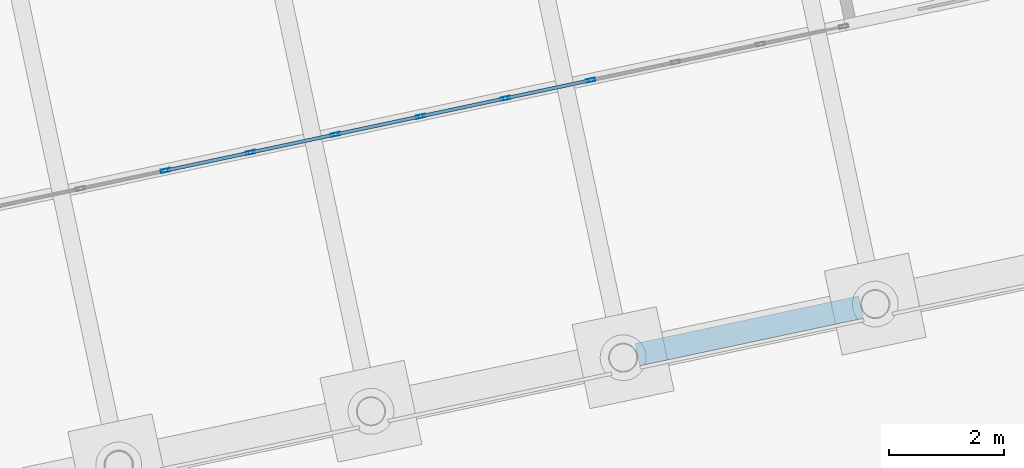
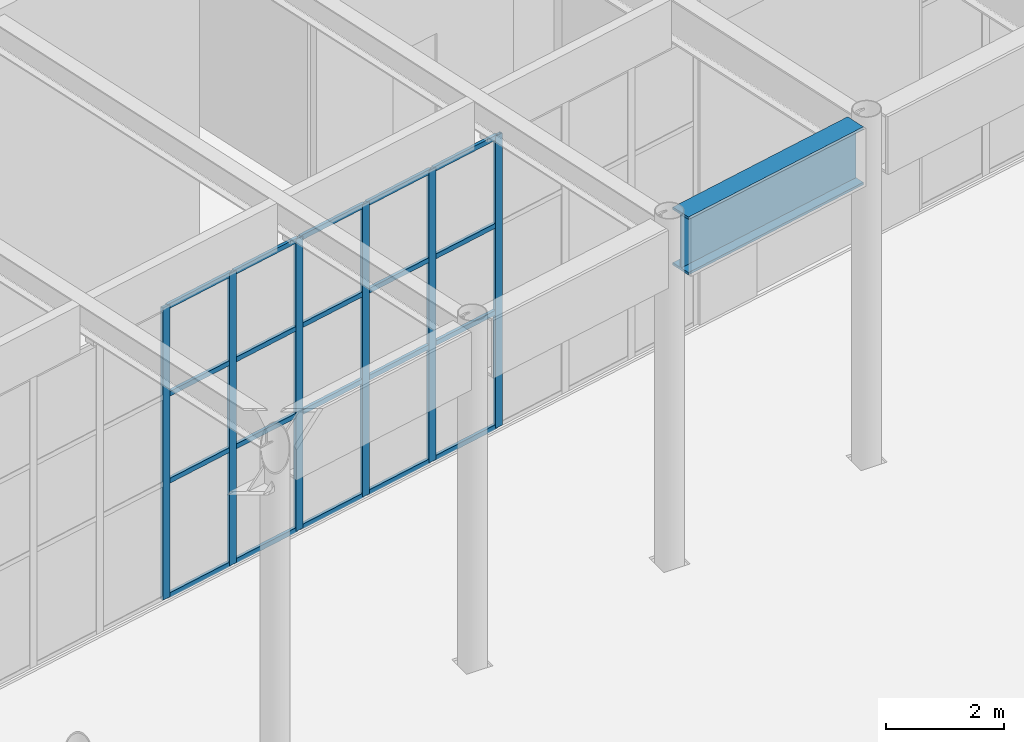
# One storey, part 94 of 239: 26 members, 1 beam, 1 element without a shape of its own.
"""IFC4 building model written with IfcOpenShell, lengths in metres."""

from ifc_helpers import new_model, si_unit, direction, frame, origin, origin_2d, place, context, subcontext, project, spatial, hollow_rectangle, i_section, extrude, material, material_profile, profile_set, type_object, element, aggregate, save


model = new_model("IFC4")

# Units and contexts
model_context = context("Model", 3, precision=1e-05, world=origin(), true_north=direction((0.0, 1.0)))
body_context = subcontext(model_context, "Body", "Model", "MODEL_VIEW")
ifc_project = project(units=[si_unit("LENGTHUNIT", "METRE"), si_unit("AREAUNIT", "SQUARE_METRE"), si_unit("VOLUMEUNIT", "CUBIC_METRE"), si_unit("PLANEANGLEUNIT", "RADIAN"), si_unit("MASSUNIT", "GRAM", prefix="KILO")], contexts=[model_context])

# Site, building, storey
site_placement = place(None, origin())
site = spatial("IfcSite", under=ifc_project, at=site_placement, CompositionType="ELEMENT")
building_placement = place(site_placement, origin())
building = spatial("IfcBuilding", under=site, at=building_placement, Name="Okhra Congress Centre", CompositionType="ELEMENT")
storey_placement = place(building_placement, origin())
storey = spatial("IfcBuildingStorey", under=building, at=storey_placement, Name="L00", CompositionType="ELEMENT", Elevation=0.0)

# Curtain wall, members
ifc_material_1 = material(Name="Aluminium curtain wall, triple glazing", Category="aluminium")
curtain_wall_type = type_object("IfcCurtainWallType", Name="Curtain wall 1500 module", PredefinedType="NOTDEFINED", material=ifc_material_1)
curtain_wall_placement = place(storey_placement, origin())
curtain_wall = element("IfcCurtainWall", 1, at=curtain_wall_placement, inside=storey, type_object=curtain_wall_type, Name="Ground curtain wall S4", PredefinedType="NOTDEFINED")
ifc_material_2 = material(Name="Aluminium alloy EN AW-6063 T66", Category="aluminium")
ifc_material_profile_1 = material_profile(ifc_material_2, hollow_rectangle(XDim=0.06005859375, YDim=0.159912109375, WallThickness=0.00390625, at=origin_2d()), Name="RHS 60x160x4")
ifc_profile_set_1 = profile_set([ifc_material_profile_1], Name="Aluminium alloy EN AW-6063 T66")
member_type_1 = type_object("IfcMemberType", Name="Curtain wall mullion 60x160", PredefinedType="MULLION", material=ifc_profile_set_1)
member_1_placement = place(storey_placement, frame((176.267822265625, 56.271240234375, 0.0), z_axis=(0.0, 0.0, 1.0), x_axis=(-0.207911690818, 0.978147600734, 0.0)))
member_1 = element("IfcMember", 2, at=member_1_placement, type_object=member_type_1, Name="CW7 mullion 20", PredefinedType="MULLION", context=body_context, shape_type="SweptSolid", body=[
    extrude(hollow_rectangle(XDim=0.06005859375, YDim=0.159912109375, WallThickness=0.00390625, at=origin_2d()), origin(), (0.0, 0.0, 1.0), 6.050048828125),
])
member_2_placement = place(storey_placement, frame((177.751708984375, 56.586669921875, 0.0), z_axis=(0.0, 0.0, 1.0), x_axis=(-0.207911690818, 0.978147600734, 0.0)))
member_2 = element("IfcMember", 3, at=member_2_placement, type_object=member_type_1, Name="CW7 mullion 21", PredefinedType="MULLION", context=body_context, shape_type="SweptSolid", body=[
    extrude(hollow_rectangle(XDim=0.06005859375, YDim=0.159912109375, WallThickness=0.00390625, at=origin_2d()), origin(), (0.0, 0.0, 1.0), 6.050048828125),
])
member_3_placement = place(storey_placement, frame((179.235595703125, 56.902099609375, 0.0), z_axis=(0.0, 0.0, 1.0), x_axis=(-0.207911690818, 0.978147600734, 0.0)))
member_3 = element("IfcMember", 4, at=member_3_placement, type_object=member_type_1, Name="CW7 mullion 22", PredefinedType="MULLION", context=body_context, shape_type="SweptSolid", body=[
    extrude(hollow_rectangle(XDim=0.06005859375, YDim=0.159912109375, WallThickness=0.00390625, at=origin_2d()), origin(), (0.0, 0.0, 1.0), 6.050048828125),
])
member_4_placement = place(storey_placement, frame((180.719482421875, 57.217529296875, 0.0), z_axis=(0.0, 0.0, 1.0), x_axis=(-0.207911690818, 0.978147600734, 0.0)))
member_4 = element("IfcMember", 5, at=member_4_placement, type_object=member_type_1, Name="CW7 mullion 23", PredefinedType="MULLION", context=body_context, shape_type="SweptSolid", body=[
    extrude(hollow_rectangle(XDim=0.06005859375, YDim=0.159912109375, WallThickness=0.00390625, at=origin_2d()), origin(), (0.0, 0.0, 1.0), 6.050048828125),
])
member_5_placement = place(storey_placement, frame((182.203369140625, 57.532958984375, 0.0), z_axis=(0.0, 0.0, 1.0), x_axis=(-0.207911690818, 0.978147600734, 0.0)))
member_5 = element("IfcMember", 6, at=member_5_placement, type_object=member_type_1, Name="CW7 mullion 24", PredefinedType="MULLION", context=body_context, shape_type="SweptSolid", body=[
    extrude(hollow_rectangle(XDim=0.06005859375, YDim=0.159912109375, WallThickness=0.00390625, at=origin_2d()), origin(), (0.0, 0.0, 1.0), 6.050048828125),
])
member_6_placement = place(storey_placement, frame((183.687255859375, 57.848388671875, 0.0), z_axis=(0.0, 0.0, 1.0), x_axis=(-0.207911690818, 0.978147600734, 0.0)))
member_6 = element("IfcMember", 7, at=member_6_placement, type_object=member_type_1, Name="CW7 mullion 25", PredefinedType="MULLION", context=body_context, shape_type="SweptSolid", body=[
    extrude(hollow_rectangle(XDim=0.06005859375, YDim=0.159912109375, WallThickness=0.00390625, at=origin_2d()), origin(), (0.0, 0.0, 1.0), 6.050048828125),
])
ifc_material_profile_2 = material_profile(ifc_material_2, hollow_rectangle(XDim=0.06005859375, YDim=0.10009765625, WallThickness=0.00390625, at=origin_2d()), Name="RHS 60x100x4")
ifc_profile_set_2 = profile_set([ifc_material_profile_2], Name="Aluminium alloy EN AW-6063 T66")
member_type_2 = type_object("IfcMemberType", Name="Curtain wall transom 60x100", PredefinedType="USERDEFINED", material=ifc_profile_set_2)
member_7_placement = place(storey_placement, frame((176.297119140625, 56.277587890625, 0.030029296875), z_axis=(0.978144370647, 0.2079268866, 0.0), x_axis=(-0.2079268866, 0.978144370647, 0.0)))
member_7 = element("IfcMember", 8, at=member_7_placement, type_object=member_type_2, Name="CW7 transom 20.1", ObjectType="TRANSOM", PredefinedType="USERDEFINED", context=body_context, shape_type="SweptSolid", body=[
    extrude(hollow_rectangle(XDim=0.06005859375, YDim=0.10009765625, WallThickness=0.00390625, at=origin_2d()), origin(), (0.0, 0.0, 1.0), 1.45703125),
])
member_8_placement = place(storey_placement, frame((176.297119140625, 56.277587890625, 2.39990234375), z_axis=(0.978144370647, 0.2079268866, 0.0), x_axis=(-0.2079268866, 0.978144370647, 0.0)))
member_8 = element("IfcMember", 9, at=member_8_placement, type_object=member_type_2, Name="CW7 transom 20.2", ObjectType="TRANSOM", PredefinedType="USERDEFINED", context=body_context, shape_type="SweptSolid", body=[
    extrude(hollow_rectangle(XDim=0.06005859375, YDim=0.10009765625, WallThickness=0.00390625, at=origin_2d()), origin(), (0.0, 0.0, 1.0), 1.45703125),
])
member_9_placement = place(storey_placement, frame((176.297119140625, 56.277587890625, 4.199951171875), z_axis=(0.978144370647, 0.2079268866, 0.0), x_axis=(-0.2079268866, 0.978144370647, 0.0)))
member_9 = element("IfcMember", 10, at=member_9_placement, type_object=member_type_2, Name="CW7 transom 20.3", ObjectType="TRANSOM", PredefinedType="USERDEFINED", context=body_context, shape_type="SweptSolid", body=[
    extrude(hollow_rectangle(XDim=0.06005859375, YDim=0.10009765625, WallThickness=0.00390625, at=origin_2d()), origin(), (0.0, 0.0, 1.0), 1.45703125),
])
member_10_placement = place(storey_placement, frame((176.297119140625, 56.277587890625, 6.02001953125), z_axis=(0.978144370647, 0.2079268866, 0.0), x_axis=(-0.2079268866, 0.978144370647, 0.0)))
member_10 = element("IfcMember", 11, at=member_10_placement, type_object=member_type_2, Name="CW7 transom 20.4", ObjectType="TRANSOM", PredefinedType="USERDEFINED", context=body_context, shape_type="SweptSolid", body=[
    extrude(hollow_rectangle(XDim=0.06005859375, YDim=0.10009765625, WallThickness=0.00390625, at=origin_2d()), origin(), (0.0, 0.0, 1.0), 1.45703125),
])
member_11_placement = place(storey_placement, frame((177.781005859375, 56.593017578125, 0.030029296875), z_axis=(0.978144370647, 0.2079268866, 0.0), x_axis=(-0.2079268866, 0.978144370647, 0.0)))
member_11 = element("IfcMember", 12, at=member_11_placement, type_object=member_type_2, Name="CW7 transom 21.1", ObjectType="TRANSOM", PredefinedType="USERDEFINED", context=body_context, shape_type="SweptSolid", body=[
    extrude(hollow_rectangle(XDim=0.06005859375, YDim=0.10009765625, WallThickness=0.00390625, at=origin_2d()), origin(), (0.0, 0.0, 1.0), 1.45703125),
])
member_12_placement = place(storey_placement, frame((177.781005859375, 56.593017578125, 2.39990234375), z_axis=(0.978144370647, 0.2079268866, 0.0), x_axis=(-0.2079268866, 0.978144370647, 0.0)))
member_12 = element("IfcMember", 13, at=member_12_placement, type_object=member_type_2, Name="CW7 transom 21.2", ObjectType="TRANSOM", PredefinedType="USERDEFINED", context=body_context, shape_type="SweptSolid", body=[
    extrude(hollow_rectangle(XDim=0.06005859375, YDim=0.10009765625, WallThickness=0.00390625, at=origin_2d()), origin(), (0.0, 0.0, 1.0), 1.45703125),
])
member_13_placement = place(storey_placement, frame((177.781005859375, 56.593017578125, 4.199951171875), z_axis=(0.978144370647, 0.2079268866, 0.0), x_axis=(-0.2079268866, 0.978144370647, 0.0)))
member_13 = element("IfcMember", 14, at=member_13_placement, type_object=member_type_2, Name="CW7 transom 21.3", ObjectType="TRANSOM", PredefinedType="USERDEFINED", context=body_context, shape_type="SweptSolid", body=[
    extrude(hollow_rectangle(XDim=0.06005859375, YDim=0.10009765625, WallThickness=0.00390625, at=origin_2d()), origin(), (0.0, 0.0, 1.0), 1.45703125),
])
member_14_placement = place(storey_placement, frame((177.781005859375, 56.593017578125, 6.02001953125), z_axis=(0.978144370647, 0.2079268866, 0.0), x_axis=(-0.2079268866, 0.978144370647, 0.0)))
member_14 = element("IfcMember", 15, at=member_14_placement, type_object=member_type_2, Name="CW7 transom 21.4", ObjectType="TRANSOM", PredefinedType="USERDEFINED", context=body_context, shape_type="SweptSolid", body=[
    extrude(hollow_rectangle(XDim=0.06005859375, YDim=0.10009765625, WallThickness=0.00390625, at=origin_2d()), origin(), (0.0, 0.0, 1.0), 1.45703125),
])
member_15_placement = place(storey_placement, frame((179.264892578125, 56.908447265625, 0.030029296875), z_axis=(0.978178435001, 0.207766574067, 0.0), x_axis=(-0.207766574067, 0.978178435001, 0.0)))
member_15 = element("IfcMember", 16, at=member_15_placement, type_object=member_type_2, Name="CW7 transom 22.1", ObjectType="TRANSOM", PredefinedType="USERDEFINED", context=body_context, shape_type="SweptSolid", body=[
    extrude(hollow_rectangle(XDim=0.06005859375, YDim=0.10009765625, WallThickness=0.00390625, at=origin_2d()), origin(), (0.0, 0.0, 1.0), 1.45703125),
])
member_16_placement = place(storey_placement, frame((179.264892578125, 56.908447265625, 2.39990234375), z_axis=(0.978178435001, 0.207766574067, 0.0), x_axis=(-0.207766574067, 0.978178435001, 0.0)))
member_16 = element("IfcMember", 17, at=member_16_placement, type_object=member_type_2, Name="CW7 transom 22.2", ObjectType="TRANSOM", PredefinedType="USERDEFINED", context=body_context, shape_type="SweptSolid", body=[
    extrude(hollow_rectangle(XDim=0.06005859375, YDim=0.10009765625, WallThickness=0.00390625, at=origin_2d()), origin(), (0.0, 0.0, 1.0), 1.45703125),
])
member_17_placement = place(storey_placement, frame((179.264892578125, 56.908447265625, 4.199951171875), z_axis=(0.978178435001, 0.207766574067, 0.0), x_axis=(-0.207766574067, 0.978178435001, 0.0)))
member_17 = element("IfcMember", 18, at=member_17_placement, type_object=member_type_2, Name="CW7 transom 22.3", ObjectType="TRANSOM", PredefinedType="USERDEFINED", context=body_context, shape_type="SweptSolid", body=[
    extrude(hollow_rectangle(XDim=0.06005859375, YDim=0.10009765625, WallThickness=0.00390625, at=origin_2d()), origin(), (0.0, 0.0, 1.0), 1.45703125),
])
member_18_placement = place(storey_placement, frame((179.264892578125, 56.908447265625, 6.02001953125), z_axis=(0.978178435001, 0.207766574067, 0.0), x_axis=(-0.207766574067, 0.978178435001, 0.0)))
member_18 = element("IfcMember", 19, at=member_18_placement, type_object=member_type_2, Name="CW7 transom 22.4", ObjectType="TRANSOM", PredefinedType="USERDEFINED", context=body_context, shape_type="SweptSolid", body=[
    extrude(hollow_rectangle(XDim=0.06005859375, YDim=0.10009765625, WallThickness=0.00390625, at=origin_2d()), origin(), (0.0, 0.0, 1.0), 1.45703125),
])
member_19_placement = place(storey_placement, frame((180.748779296875, 57.223876953125, 0.030029296875), z_axis=(0.978178435001, 0.207766574067, 0.0), x_axis=(-0.207766574067, 0.978178435001, 0.0)))
member_19 = element("IfcMember", 20, at=member_19_placement, type_object=member_type_2, Name="CW7 transom 23.1", ObjectType="TRANSOM", PredefinedType="USERDEFINED", context=body_context, shape_type="SweptSolid", body=[
    extrude(hollow_rectangle(XDim=0.06005859375, YDim=0.10009765625, WallThickness=0.00390625, at=origin_2d()), origin(), (0.0, 0.0, 1.0), 1.45703125),
])
member_20_placement = place(storey_placement, frame((180.748779296875, 57.223876953125, 2.39990234375), z_axis=(0.978178435001, 0.207766574067, 0.0), x_axis=(-0.207766574067, 0.978178435001, 0.0)))
member_20 = element("IfcMember", 21, at=member_20_placement, type_object=member_type_2, Name="CW7 transom 23.2", ObjectType="TRANSOM", PredefinedType="USERDEFINED", context=body_context, shape_type="SweptSolid", body=[
    extrude(hollow_rectangle(XDim=0.06005859375, YDim=0.10009765625, WallThickness=0.00390625, at=origin_2d()), origin(), (0.0, 0.0, 1.0), 1.45703125),
])
member_21_placement = place(storey_placement, frame((180.748779296875, 57.223876953125, 4.199951171875), z_axis=(0.978178435001, 0.207766574067, 0.0), x_axis=(-0.207766574067, 0.978178435001, 0.0)))
member_21 = element("IfcMember", 22, at=member_21_placement, type_object=member_type_2, Name="CW7 transom 23.3", ObjectType="TRANSOM", PredefinedType="USERDEFINED", context=body_context, shape_type="SweptSolid", body=[
    extrude(hollow_rectangle(XDim=0.06005859375, YDim=0.10009765625, WallThickness=0.00390625, at=origin_2d()), origin(), (0.0, 0.0, 1.0), 1.45703125),
])
member_22_placement = place(storey_placement, frame((180.748779296875, 57.223876953125, 6.02001953125), z_axis=(0.978178435001, 0.207766574067, 0.0), x_axis=(-0.207766574067, 0.978178435001, 0.0)))
member_22 = element("IfcMember", 23, at=member_22_placement, type_object=member_type_2, Name="CW7 transom 23.4", ObjectType="TRANSOM", PredefinedType="USERDEFINED", context=body_context, shape_type="SweptSolid", body=[
    extrude(hollow_rectangle(XDim=0.06005859375, YDim=0.10009765625, WallThickness=0.00390625, at=origin_2d()), origin(), (0.0, 0.0, 1.0), 1.45703125),
])
member_23_placement = place(storey_placement, frame((182.232666015625, 57.5390625, 0.030029296875), z_axis=(0.978144370647, 0.2079268866, 0.0), x_axis=(-0.2079268866, 0.978144370647, 0.0)))
member_23 = element("IfcMember", 24, at=member_23_placement, type_object=member_type_2, Name="CW7 transom 24.1", ObjectType="TRANSOM", PredefinedType="USERDEFINED", context=body_context, shape_type="SweptSolid", body=[
    extrude(hollow_rectangle(XDim=0.06005859375, YDim=0.10009765625, WallThickness=0.00390625, at=origin_2d()), origin(), (0.0, 0.0, 1.0), 1.45703125),
])
member_24_placement = place(storey_placement, frame((182.232666015625, 57.5390625, 2.39990234375), z_axis=(0.978144370647, 0.2079268866, 0.0), x_axis=(-0.2079268866, 0.978144370647, 0.0)))
member_24 = element("IfcMember", 25, at=member_24_placement, type_object=member_type_2, Name="CW7 transom 24.2", ObjectType="TRANSOM", PredefinedType="USERDEFINED", context=body_context, shape_type="SweptSolid", body=[
    extrude(hollow_rectangle(XDim=0.06005859375, YDim=0.10009765625, WallThickness=0.00390625, at=origin_2d()), origin(), (0.0, 0.0, 1.0), 1.45703125),
])
member_25_placement = place(storey_placement, frame((182.232666015625, 57.5390625, 4.199951171875), z_axis=(0.978144370647, 0.2079268866, 0.0), x_axis=(-0.2079268866, 0.978144370647, 0.0)))
member_25 = element("IfcMember", 26, at=member_25_placement, type_object=member_type_2, Name="CW7 transom 24.3", ObjectType="TRANSOM", PredefinedType="USERDEFINED", context=body_context, shape_type="SweptSolid", body=[
    extrude(hollow_rectangle(XDim=0.06005859375, YDim=0.10009765625, WallThickness=0.00390625, at=origin_2d()), origin(), (0.0, 0.0, 1.0), 1.45703125),
])
member_26_placement = place(storey_placement, frame((182.232666015625, 57.5390625, 6.02001953125), z_axis=(0.978144370647, 0.2079268866, 0.0), x_axis=(-0.2079268866, 0.978144370647, 0.0)))
member_26 = element("IfcMember", 27, at=member_26_placement, type_object=member_type_2, Name="CW7 transom 24.4", ObjectType="TRANSOM", PredefinedType="USERDEFINED", context=body_context, shape_type="SweptSolid", body=[
    extrude(hollow_rectangle(XDim=0.06005859375, YDim=0.10009765625, WallThickness=0.00390625, at=origin_2d()), origin(), (0.0, 0.0, 1.0), 1.45703125),
])
aggregate(curtain_wall, [member_1, member_2, member_3, member_4, member_5, member_6, member_7, member_8, member_9, member_10, member_11, member_12, member_13, member_14, member_15, member_16, member_17, member_18, member_19, member_20, member_21, member_22, member_23, member_24, member_25, member_26])

# Beam
ifc_material_3 = material(Name="Steel S355J2", Category="steel")
ifc_material_profile_3 = material_profile(ifc_material_3, i_section(OverallWidth=0.39990234375, OverallDepth=1.199951171875, WebThickness=0.02490234375, FlangeThickness=0.050048828125, at=origin_2d()), Name="Plate girder 1200x400")
ifc_profile_set_3 = profile_set([ifc_material_profile_3], Name="Steel S355J2")
beam_type = type_object("IfcBeamType", Name="Perimeter plate girder 1200x400", PredefinedType="BEAM", material=ifc_profile_set_3)
beam_placement = place(storey_placement, frame((184.506103515625, 53.058837890625, 6.449951171875), z_axis=(0.978142994281, 0.207933361295, 0.0), x_axis=(-0.207933361295, 0.978142994281, 0.0)))
element("IfcBeam", 28, at=beam_placement, inside=storey, type_object=beam_type, Name="Perimeter girder S26", PredefinedType="BEAM", context=body_context, shape_type="SweptSolid", body=[
    extrude(i_section(OverallWidth=0.39990234375, OverallDepth=1.199951171875, WebThickness=0.02490234375, FlangeThickness=0.050048828125, at=origin_2d()), origin(), (0.0, 0.0, 1.0), 3.991943359375),
])

save(model, "model.ifc")
